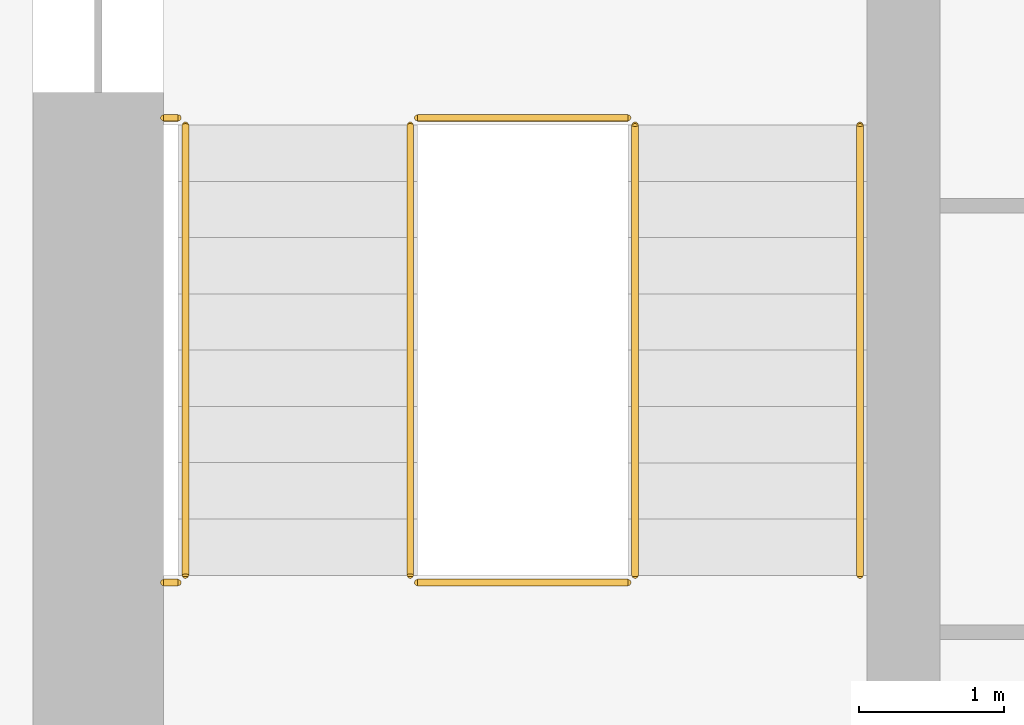
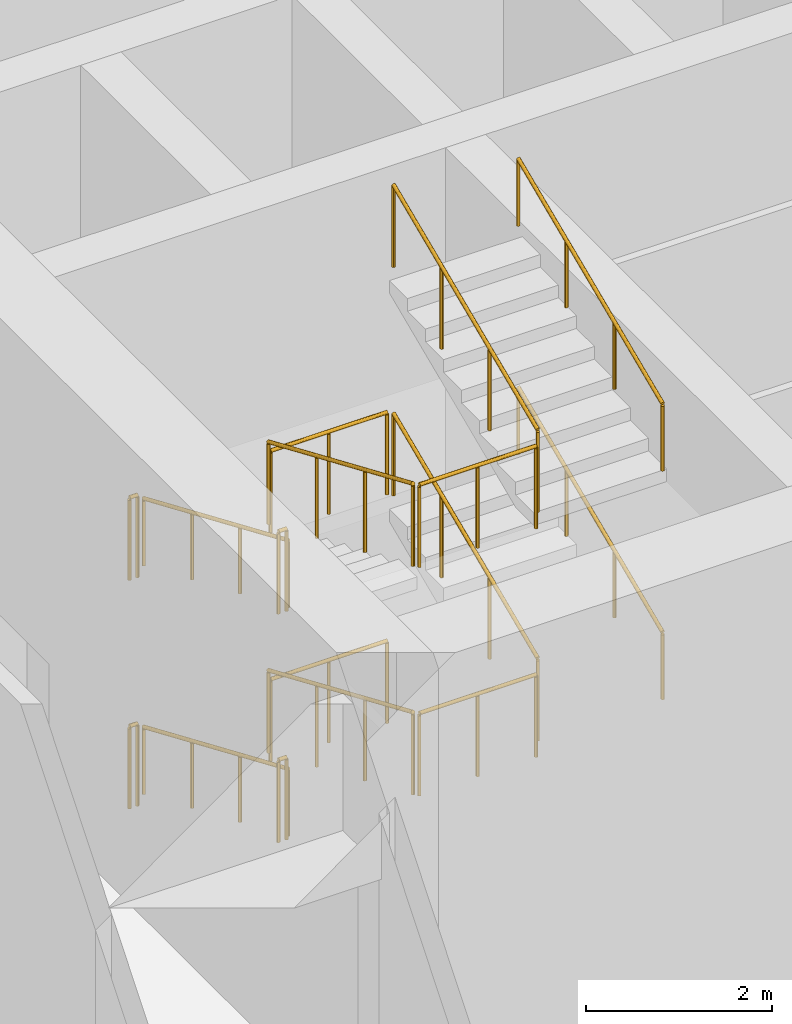
# One storey, part 18 of 24: 16 railings.
"""IFC4 building model written with IfcOpenShell, lengths in metres."""

from ifc_helpers import new_model, si_unit, direction, frame, origin, origin_2d, place, context, subcontext, project, spatial, circle, extrude, material, type_object, element, save


model = new_model("IFC4")

# Units and contexts
model_context = context("Model", 3, precision=1e-05, world=origin(), true_north=direction((0.0, 1.0)))
body_context = subcontext(model_context, "Body", "Model", "MODEL_VIEW")
ifc_project = project(units=[si_unit("LENGTHUNIT", "METRE"), si_unit("AREAUNIT", "SQUARE_METRE"), si_unit("VOLUMEUNIT", "CUBIC_METRE"), si_unit("PLANEANGLEUNIT", "RADIAN"), si_unit("MASSUNIT", "GRAM", prefix="KILO")], contexts=[model_context])

# Site, building, storey
site_placement = place(None, origin())
site = spatial("IfcSite", under=ifc_project, at=site_placement, CompositionType="ELEMENT")
building_placement = place(site_placement, origin())
building = spatial("IfcBuilding", under=site, at=building_placement, Name="Corbel Stack Research Tower", CompositionType="ELEMENT")
storey_placement = place(building_placement, frame((0.0, 0.0, 110.699951171875)))
storey = spatial("IfcBuildingStorey", under=building, at=storey_placement, Name="L25", CompositionType="ELEMENT", Elevation=110.699951171875)

# Railings
ifc_material_1 = material(Name="Steel S355", Category="steel")
railing_type_1 = type_object("IfcRailingType", Name="Stair guard 1100", PredefinedType="GUARDRAIL", material=ifc_material_1)
railing_1_placement = place(storey_placement, frame((-7.89990234375, -2.39990234375, 0.166748046875)))
element("IfcRailing", 1, at=railing_1_placement, inside=storey, type_object=railing_type_1, Name="L25 ST-W1 stair guard 1", PredefinedType="GUARDRAIL", context=body_context, shape_type="SweptSolid", body=[
    extrude(circle(Radius=0.02392578125, at=origin_2d()), frame((0.0, 0.0, 1.076171875), z_axis=(0.0, -0.918826996994, 0.394660549834), x_axis=(1.0, 0.0, 0.0)), (0.0, 0.0, 1.0), 3.378173828125),
    extrude(circle(Radius=0.02099609375, at=origin_2d()), origin(), (0.0, 0.0, 1.0), 1.052001953125),
    extrude(circle(Radius=0.02099609375, at=origin_2d()), frame((0.0, -1.03466796875, 0.4443359375)), (0.0, 0.0, 1.0), 1.052001953125),
    extrude(circle(Radius=0.02099609375, at=origin_2d()), frame((0.0, -2.0693359375, 0.888916015625)), (0.0, 0.0, 1.0), 1.052001953125),
    extrude(circle(Radius=0.02099609375, at=origin_2d()), frame((0.0, -3.10400390625, 1.333251953125)), (0.0, 0.0, 1.0), 1.052001953125),
])
railing_2_placement = place(storey_placement, frame((-7.85009765625, -5.553955078125, 1.5)))
element("IfcRailing", 2, at=railing_2_placement, inside=storey, type_object=railing_type_1, Name="L25 ST-W1 stair guard 2", PredefinedType="GUARDRAIL", context=body_context, shape_type="SweptSolid", body=[
    extrude(circle(Radius=0.02392578125, at=origin_2d()), frame((0.0, 0.0, 1.076171875), z_axis=(1.0, 0.0, 0.0), x_axis=(0.0, 1.0, 0.0)), (0.0, 0.0, 1.0), 1.4501953125),
    extrude(circle(Radius=0.02099609375, at=origin_2d()), origin(), (0.0, 0.0, 1.0), 1.052001953125),
    extrude(circle(Radius=0.02099609375, at=origin_2d()), frame((0.72509765625, 0.0, 0.0)), (0.0, 0.0, 1.0), 1.052001953125),
    extrude(circle(Radius=0.02099609375, at=origin_2d()), frame((1.4501953125, 0.0, 0.0)), (0.0, 0.0, 1.0), 1.052001953125),
])
railing_3_placement = place(storey_placement, frame((-9.60009765625, -5.553955078125, 1.5)))
element("IfcRailing", 3, at=railing_3_placement, inside=storey, type_object=railing_type_1, Name="L25 ST-W1 stair guard 3", PredefinedType="GUARDRAIL", context=body_context, shape_type="SweptSolid", body=[
    extrude(circle(Radius=0.02392578125, at=origin_2d()), frame((0.0, 0.0, 1.076171875), z_axis=(1.0, 0.0, 0.0), x_axis=(0.0, 1.0, 0.0)), (0.0, 0.0, 1.0), 0.10009765625),
    extrude(circle(Radius=0.02099609375, at=origin_2d()), origin(), (0.0, 0.0, 1.0), 1.052001953125),
    extrude(circle(Radius=0.02099609375, at=origin_2d()), frame((0.10009765625, 0.0, 0.0)), (0.0, 0.0, 1.0), 1.052001953125),
])
railing_4_placement = place(storey_placement, frame((-6.35009765625, -5.50390625, 1.666748046875)))
element("IfcRailing", 4, at=railing_4_placement, inside=storey, type_object=railing_type_1, Name="L25 ST-W1 stair guard 4", PredefinedType="GUARDRAIL", context=body_context, shape_type="SweptSolid", body=[
    extrude(circle(Radius=0.02392578125, at=origin_2d()), frame((0.0, 0.0, 1.076171875), z_axis=(0.0, 0.918826996994, 0.394660549834), x_axis=(-1.0, 0.0, 0.0)), (0.0, 0.0, 1.0), 3.378173828125),
    extrude(circle(Radius=0.02099609375, at=origin_2d()), origin(), (0.0, 0.0, 1.0), 1.052001953125),
    extrude(circle(Radius=0.02099609375, at=origin_2d()), frame((0.0, 1.03466796875, 0.4443359375)), (0.0, 0.0, 1.0), 1.052001953125),
    extrude(circle(Radius=0.02099609375, at=origin_2d()), frame((0.0, 2.0693359375, 0.888916015625)), (0.0, 0.0, 1.0), 1.052001953125),
    extrude(circle(Radius=0.02099609375, at=origin_2d()), frame((0.0, 3.10400390625, 1.333251953125)), (0.0, 0.0, 1.0), 1.052001953125),
])
railing_5_placement = place(storey_placement, frame((-7.85009765625, -2.35009765625, 3.0)))
element("IfcRailing", 5, at=railing_5_placement, inside=storey, type_object=railing_type_1, Name="L25 ST-W1 stair guard 5", PredefinedType="GUARDRAIL", context=body_context, shape_type="SweptSolid", body=[
    extrude(circle(Radius=0.02392578125, at=origin_2d()), frame((0.0, 0.0, 1.076171875), z_axis=(1.0, 0.0, 0.0), x_axis=(0.0, 1.0, 0.0)), (0.0, 0.0, 1.0), 1.4501953125),
    extrude(circle(Radius=0.02099609375, at=origin_2d()), origin(), (0.0, 0.0, 1.0), 1.052001953125),
    extrude(circle(Radius=0.02099609375, at=origin_2d()), frame((0.72509765625, 0.0, 0.0)), (0.0, 0.0, 1.0), 1.052001953125),
    extrude(circle(Radius=0.02099609375, at=origin_2d()), frame((1.4501953125, 0.0, 0.0)), (0.0, 0.0, 1.0), 1.052001953125),
])
railing_6_placement = place(storey_placement, frame((-9.60009765625, -2.35009765625, 3.0)))
element("IfcRailing", 6, at=railing_6_placement, inside=storey, type_object=railing_type_1, Name="L25 ST-W1 stair guard 6", PredefinedType="GUARDRAIL", context=body_context, shape_type="SweptSolid", body=[
    extrude(circle(Radius=0.02392578125, at=origin_2d()), frame((0.0, 0.0, 1.076171875), z_axis=(1.0, 0.0, 0.0), x_axis=(0.0, 1.0, 0.0)), (0.0, 0.0, 1.0), 0.10009765625),
    extrude(circle(Radius=0.02099609375, at=origin_2d()), origin(), (0.0, 0.0, 1.0), 1.052001953125),
    extrude(circle(Radius=0.02099609375, at=origin_2d()), frame((0.10009765625, 0.0, 0.0)), (0.0, 0.0, 1.0), 1.052001953125),
])
railing_7_placement = place(storey_placement, frame((-7.89990234375, -2.39990234375, 3.166748046875)))
element("IfcRailing", 7, at=railing_7_placement, inside=storey, type_object=railing_type_1, Name="L25 ST-W1 stair guard 7", PredefinedType="GUARDRAIL", context=body_context, shape_type="SweptSolid", body=[
    extrude(circle(Radius=0.02392578125, at=origin_2d()), frame((0.0, 0.0, 1.076171875), z_axis=(0.0, -0.918826996994, 0.394660549834), x_axis=(1.0, 0.0, 0.0)), (0.0, 0.0, 1.0), 3.378173828125),
    extrude(circle(Radius=0.02099609375, at=origin_2d()), origin(), (0.0, 0.0, 1.0), 1.052001953125),
    extrude(circle(Radius=0.02099609375, at=origin_2d()), frame((0.0, -1.03466796875, 0.4443359375)), (0.0, 0.0, 1.0), 1.052001953125),
    extrude(circle(Radius=0.02099609375, at=origin_2d()), frame((0.0, -2.0693359375, 0.888916015625)), (0.0, 0.0, 1.0), 1.052001953125),
    extrude(circle(Radius=0.02099609375, at=origin_2d()), frame((0.0, -3.10400390625, 1.333251953125)), (0.0, 0.0, 1.0), 1.052001953125),
])
railing_8_placement = place(storey_placement, frame((-7.85009765625, -5.553955078125, 4.5)))
element("IfcRailing", 8, at=railing_8_placement, inside=storey, type_object=railing_type_1, Name="L25 ST-W1 stair guard 8", PredefinedType="GUARDRAIL", context=body_context, shape_type="SweptSolid", body=[
    extrude(circle(Radius=0.02392578125, at=origin_2d()), frame((0.0, 0.0, 1.076171875), z_axis=(1.0, 0.0, 0.0), x_axis=(0.0, 1.0, 0.0)), (0.0, 0.0, 1.0), 1.4501953125),
    extrude(circle(Radius=0.02099609375, at=origin_2d()), origin(), (0.0, 0.0, 1.0), 1.052001953125),
    extrude(circle(Radius=0.02099609375, at=origin_2d()), frame((0.72509765625, 0.0, 0.0)), (0.0, 0.0, 1.0), 1.052001953125),
    extrude(circle(Radius=0.02099609375, at=origin_2d()), frame((1.4501953125, 0.0, 0.0)), (0.0, 0.0, 1.0), 1.052001953125),
])
railing_9_placement = place(storey_placement, frame((-9.60009765625, -5.553955078125, 4.5)))
element("IfcRailing", 9, at=railing_9_placement, inside=storey, type_object=railing_type_1, Name="L25 ST-W1 stair guard 9", PredefinedType="GUARDRAIL", context=body_context, shape_type="SweptSolid", body=[
    extrude(circle(Radius=0.02392578125, at=origin_2d()), frame((0.0, 0.0, 1.076171875), z_axis=(1.0, 0.0, 0.0), x_axis=(0.0, 1.0, 0.0)), (0.0, 0.0, 1.0), 0.10009765625),
    extrude(circle(Radius=0.02099609375, at=origin_2d()), origin(), (0.0, 0.0, 1.0), 1.052001953125),
    extrude(circle(Radius=0.02099609375, at=origin_2d()), frame((0.10009765625, 0.0, 0.0)), (0.0, 0.0, 1.0), 1.052001953125),
])
railing_10_placement = place(storey_placement, frame((-6.35009765625, -5.50390625, 4.666748046875)))
element("IfcRailing", 10, at=railing_10_placement, inside=storey, type_object=railing_type_1, Name="L25 ST-W1 stair guard 10", PredefinedType="GUARDRAIL", context=body_context, shape_type="SweptSolid", body=[
    extrude(circle(Radius=0.02392578125, at=origin_2d()), frame((0.0, 0.0, 1.076171875), z_axis=(0.0, 0.918826996994, 0.394660549834), x_axis=(-1.0, 0.0, 0.0)), (0.0, 0.0, 1.0), 3.378173828125),
    extrude(circle(Radius=0.02099609375, at=origin_2d()), origin(), (0.0, 0.0, 1.0), 1.052001953125),
    extrude(circle(Radius=0.02099609375, at=origin_2d()), frame((0.0, 1.03466796875, 0.4443359375)), (0.0, 0.0, 1.0), 1.052001953125),
    extrude(circle(Radius=0.02099609375, at=origin_2d()), frame((0.0, 2.0693359375, 0.888916015625)), (0.0, 0.0, 1.0), 1.052001953125),
    extrude(circle(Radius=0.02099609375, at=origin_2d()), frame((0.0, 3.10400390625, 1.333251953125)), (0.0, 0.0, 1.0), 1.052001953125),
])
railing_11_placement = place(storey_placement, frame((-7.85009765625, -2.35009765625, 0.0)))
element("IfcRailing", 11, at=railing_11_placement, inside=storey, type_object=railing_type_1, Name="L25 ST-W1 stair guard 11", PredefinedType="GUARDRAIL", context=body_context, shape_type="SweptSolid", body=[
    extrude(circle(Radius=0.02392578125, at=origin_2d()), frame((0.0, 0.0, 1.076171875), z_axis=(1.0, 0.0, 0.0), x_axis=(0.0, 1.0, 0.0)), (0.0, 0.0, 1.0), 1.4501953125),
    extrude(circle(Radius=0.02099609375, at=origin_2d()), origin(), (0.0, 0.0, 1.0), 1.052001953125),
    extrude(circle(Radius=0.02099609375, at=origin_2d()), frame((0.72509765625, 0.0, 0.0)), (0.0, 0.0, 1.0), 1.052001953125),
    extrude(circle(Radius=0.02099609375, at=origin_2d()), frame((1.4501953125, 0.0, 0.0)), (0.0, 0.0, 1.0), 1.052001953125),
])
railing_12_placement = place(storey_placement, frame((-9.60009765625, -2.35009765625, 0.0)))
element("IfcRailing", 12, at=railing_12_placement, inside=storey, type_object=railing_type_1, Name="L25 ST-W1 stair guard 12", PredefinedType="GUARDRAIL", context=body_context, shape_type="SweptSolid", body=[
    extrude(circle(Radius=0.02392578125, at=origin_2d()), frame((0.0, 0.0, 1.076171875), z_axis=(1.0, 0.0, 0.0), x_axis=(0.0, 1.0, 0.0)), (0.0, 0.0, 1.0), 0.10009765625),
    extrude(circle(Radius=0.02099609375, at=origin_2d()), origin(), (0.0, 0.0, 1.0), 1.052001953125),
    extrude(circle(Radius=0.02099609375, at=origin_2d()), frame((0.10009765625, 0.0, 0.0)), (0.0, 0.0, 1.0), 1.052001953125),
])
ifc_material_2 = material(Name="Steel S355", Category="steel")
railing_type_2 = type_object("IfcRailingType", Name="Stair handrail 900", PredefinedType="HANDRAIL", material=ifc_material_2)
railing_13_placement = place(storey_placement, frame((-9.449951171875, -2.39990234375, 0.166748046875)))
element("IfcRailing", 13, at=railing_13_placement, inside=storey, type_object=railing_type_2, Name="L25 ST-W1 stair handrail 1", PredefinedType="HANDRAIL", context=body_context, shape_type="SweptSolid", body=[
    extrude(circle(Radius=0.02392578125, at=origin_2d()), frame((0.0, 0.0, 0.8759765625), z_axis=(0.0, -0.918826996994, 0.394660549834), x_axis=(1.0, 0.0, 0.0)), (0.0, 0.0, 1.0), 3.378173828125),
    extrude(circle(Radius=0.02099609375, at=origin_2d()), origin(), (0.0, 0.0, 1.0), 0.851806640625),
    extrude(circle(Radius=0.02099609375, at=origin_2d()), frame((0.0, -1.03466796875, 0.4443359375)), (0.0, 0.0, 1.0), 0.851806640625),
    extrude(circle(Radius=0.02099609375, at=origin_2d()), frame((0.0, -2.0693359375, 0.888916015625)), (0.0, 0.0, 1.0), 0.851806640625),
    extrude(circle(Radius=0.02099609375, at=origin_2d()), frame((0.0, -3.10400390625, 1.333251953125)), (0.0, 0.0, 1.0), 0.851806640625),
])
railing_14_placement = place(storey_placement, frame((-4.800048828125, -5.50390625, 1.666748046875)))
element("IfcRailing", 14, at=railing_14_placement, inside=storey, type_object=railing_type_2, Name="L25 ST-W1 stair handrail 2", PredefinedType="HANDRAIL", context=body_context, shape_type="SweptSolid", body=[
    extrude(circle(Radius=0.02392578125, at=origin_2d()), frame((0.0, 0.0, 0.8759765625), z_axis=(0.0, 0.918826996994, 0.394660549834), x_axis=(-1.0, 0.0, 0.0)), (0.0, 0.0, 1.0), 3.378173828125),
    extrude(circle(Radius=0.02099609375, at=origin_2d()), origin(), (0.0, 0.0, 1.0), 0.851806640625),
    extrude(circle(Radius=0.02099609375, at=origin_2d()), frame((0.0, 1.03466796875, 0.4443359375)), (0.0, 0.0, 1.0), 0.851806640625),
    extrude(circle(Radius=0.02099609375, at=origin_2d()), frame((0.0, 2.0693359375, 0.888916015625)), (0.0, 0.0, 1.0), 0.851806640625),
    extrude(circle(Radius=0.02099609375, at=origin_2d()), frame((0.0, 3.10400390625, 1.333251953125)), (0.0, 0.0, 1.0), 0.851806640625),
])
railing_15_placement = place(storey_placement, frame((-9.449951171875, -2.39990234375, 3.166748046875)))
element("IfcRailing", 15, at=railing_15_placement, inside=storey, type_object=railing_type_2, Name="L25 ST-W1 stair handrail 3", PredefinedType="HANDRAIL", context=body_context, shape_type="SweptSolid", body=[
    extrude(circle(Radius=0.02392578125, at=origin_2d()), frame((0.0, 0.0, 0.8759765625), z_axis=(0.0, -0.918826996994, 0.394660549834), x_axis=(1.0, 0.0, 0.0)), (0.0, 0.0, 1.0), 3.378173828125),
    extrude(circle(Radius=0.02099609375, at=origin_2d()), origin(), (0.0, 0.0, 1.0), 0.851806640625),
    extrude(circle(Radius=0.02099609375, at=origin_2d()), frame((0.0, -1.03466796875, 0.4443359375)), (0.0, 0.0, 1.0), 0.851806640625),
    extrude(circle(Radius=0.02099609375, at=origin_2d()), frame((0.0, -2.0693359375, 0.888916015625)), (0.0, 0.0, 1.0), 0.851806640625),
    extrude(circle(Radius=0.02099609375, at=origin_2d()), frame((0.0, -3.10400390625, 1.333251953125)), (0.0, 0.0, 1.0), 0.851806640625),
])
railing_16_placement = place(storey_placement, frame((-4.800048828125, -5.50390625, 4.666748046875)))
element("IfcRailing", 16, at=railing_16_placement, inside=storey, type_object=railing_type_2, Name="L25 ST-W1 stair handrail 4", PredefinedType="HANDRAIL", context=body_context, shape_type="SweptSolid", body=[
    extrude(circle(Radius=0.02392578125, at=origin_2d()), frame((0.0, 0.0, 0.8759765625), z_axis=(0.0, 0.918826996994, 0.394660549834), x_axis=(-1.0, 0.0, 0.0)), (0.0, 0.0, 1.0), 3.378173828125),
    extrude(circle(Radius=0.02099609375, at=origin_2d()), origin(), (0.0, 0.0, 1.0), 0.851806640625),
    extrude(circle(Radius=0.02099609375, at=origin_2d()), frame((0.0, 1.03466796875, 0.4443359375)), (0.0, 0.0, 1.0), 0.851806640625),
    extrude(circle(Radius=0.02099609375, at=origin_2d()), frame((0.0, 2.0693359375, 0.888916015625)), (0.0, 0.0, 1.0), 0.851806640625),
    extrude(circle(Radius=0.02099609375, at=origin_2d()), frame((0.0, 3.10400390625, 1.333251953125)), (0.0, 0.0, 1.0), 0.851806640625),
])

save(model, "model.ifc")
